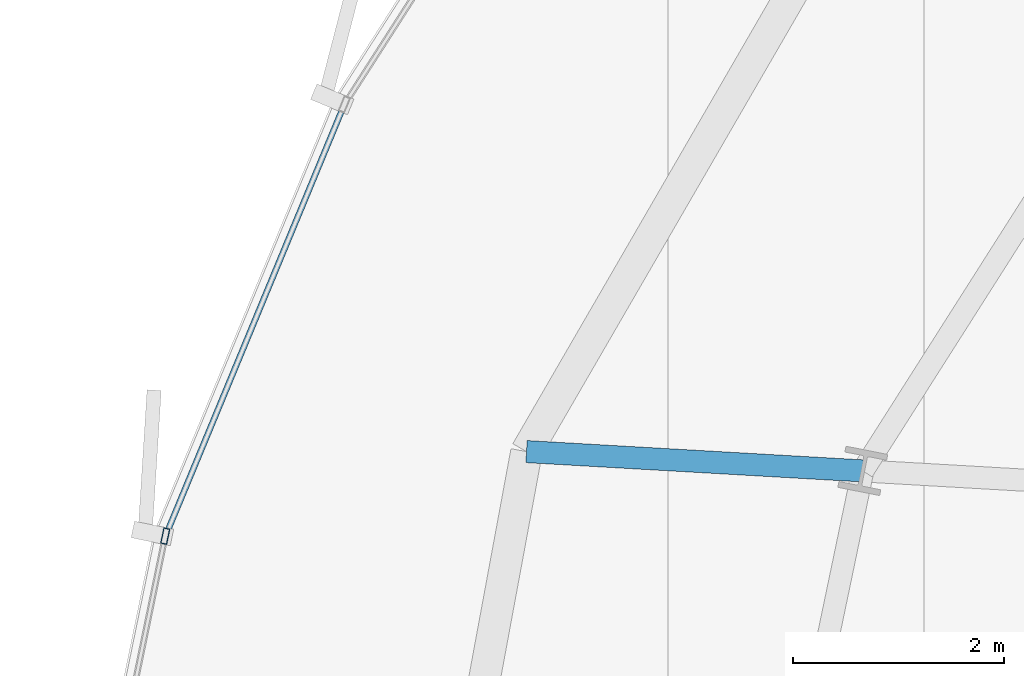
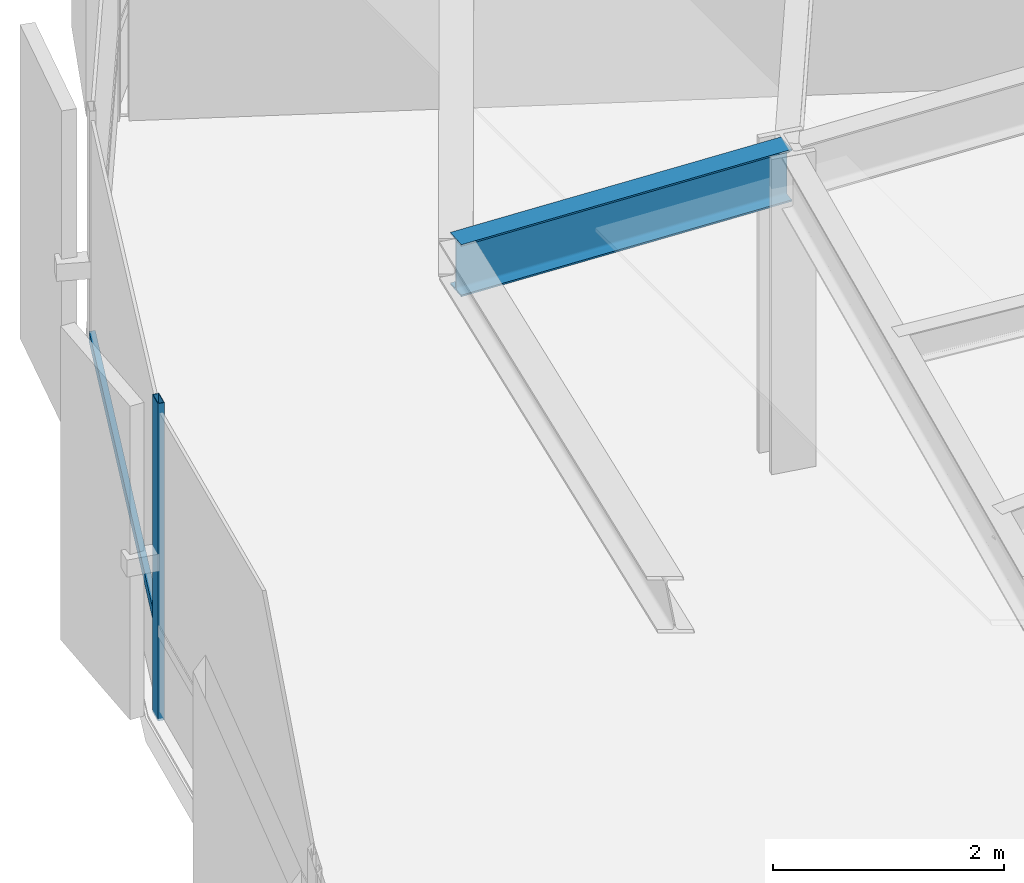
# One storey, part 10 of 35: 2 members, 1 beam, 1 element without a shape of its own.
"""IFC4 building model written with IfcOpenShell, lengths in metres."""

from ifc_helpers import new_model, si_unit, direction, frame, origin, origin_2d, place, context, subcontext, project, spatial, hollow_rectangle, i_section, extrude, source, transform, mapped, material, layer, layer_set, material_profile, profile_set, type_object, element, aggregate, save


model = new_model("IFC4")

# Units and contexts
model_context = context("Model", 3, precision=1e-05, world=origin(), true_north=direction((0.0, 1.0)))
body_context = subcontext(model_context, "Body", "Model", "MODEL_VIEW")
ifc_project = project(units=[si_unit("LENGTHUNIT", "METRE"), si_unit("AREAUNIT", "SQUARE_METRE"), si_unit("VOLUMEUNIT", "CUBIC_METRE"), si_unit("PLANEANGLEUNIT", "RADIAN"), si_unit("MASSUNIT", "GRAM", prefix="KILO"), si_unit("THERMODYNAMICTEMPERATUREUNIT", "KELVIN")], contexts=[model_context])

# Site, building, storey
site_placement = place(None, origin())
site = spatial("IfcSite", under=ifc_project, at=site_placement, CompositionType="ELEMENT")
building_placement = place(site_placement, origin())
building = spatial("IfcBuilding", under=site, at=building_placement, Name="Kethvar Cultural Tower", CompositionType="ELEMENT")
storey_placement = place(building_placement, frame((0.0, 0.0, 107.199951171875)))
storey = spatial("IfcBuildingStorey", under=building, at=storey_placement, Name="L26", CompositionType="ELEMENT", Elevation=107.199951171875)

# Beam
ifc_material_1 = material(Name="Steel S355J2", Category="steel")
ifc_material_profile_1 = material_profile(ifc_material_1, i_section(OverallWidth=0.2099609375, OverallDepth=0.550048828125, WebThickness=0.010986328125, FlangeThickness=0.01708984375, FilletRadius=0.02392578125, at=origin_2d()), Name="Steel S355J2 — IPE550")
ifc_profile_set_1 = profile_set([ifc_material_profile_1], Name="Steel S355J2 — IPE550")
beam_type = type_object("IfcBeamType", Name="BM-IPE550", PredefinedType="BEAM", material=ifc_profile_set_1)
shared_shape_1 = source(origin(), body_context, "Body", "SweptSolid", [
    extrude(i_section(OverallWidth=0.2099609375, OverallDepth=0.550048828125, WebThickness=0.010986328125, FlangeThickness=0.01708984375, FilletRadius=0.02392578125, at=origin_2d()), origin(), (0.0, 0.0, 1.0), 3.2001953125),
])
beam_placement = place(storey_placement, frame((25.988525390625, 31.939697265625, 3.072998046875), z_axis=(-0.998357274949, 0.057295301352, 0.0), x_axis=(-0.057295301352, -0.998357274949, 0.0)))
element("IfcBeam", 1, at=beam_placement, inside=storey, type_object=beam_type, Name="L26 Perimeter Cantilever Beam RC-08", PredefinedType="BEAM", context=body_context, shape_type="MappedRepresentation", body=[
    mapped(shared_shape_1, transform((0.0, 0.0, 0.0), scale=1.0)),
])

# Curtain wall, members
ifc_material_2 = material(Name="Aluminium 6063-T6", Category="aluminium")
ifc_layer = layer(ifc_material_2, 0.179931640625, Name="Aluminium 6063-T6", Category="aluminium")
ifc_layer_set = layer_set([ifc_layer], Name="Aluminium 6063-T6 (180 mm)")
curtain_wall_type = type_object("IfcCurtainWallType", Name="CW-SYS-03-Z2", PredefinedType="NOTDEFINED", material=ifc_layer_set)
curtain_wall_placement = place(storey_placement, origin())
curtain_wall = element("IfcCurtainWall", 2, at=curtain_wall_placement, inside=storey, type_object=curtain_wall_type, Name="L26 Curtain Wall Run 03", PredefinedType="NOTDEFINED")
ifc_material_profile_2 = material_profile(ifc_material_2, hollow_rectangle(XDim=0.06005859375, YDim=0.14990234375, WallThickness=0.0048828125, at=origin_2d()), Name="Aluminium 6063-T6 — RHS150x60x5")
ifc_profile_set_2 = profile_set([ifc_material_profile_2], Name="Aluminium 6063-T6 — RHS150x60x5")
member_type_1 = type_object("IfcMemberType", Name="CW-SYS-03-Z2-MUL", PredefinedType="MULLION", material=ifc_profile_set_2)
shared_shape_2 = source(origin(), body_context, "Body", "SweptSolid", [
    extrude(hollow_rectangle(XDim=0.06005859375, YDim=0.14990234375, WallThickness=0.0048828125, at=origin_2d()), origin(), (0.0, 0.0, 1.0), 3.35009765625),
])
member_1_placement = place(storey_placement, frame((19.361328125, 31.31982421875, 0.0), z_axis=(0.0, 0.0, 1.0), x_axis=(0.9794663126, -0.201607892903, 0.0)))
member_1 = element("IfcMember", 3, at=member_1_placement, type_object=member_type_1, Name="CW-L26-R03 Mullion 4", PredefinedType="MULLION", context=body_context, shape_type="MappedRepresentation", body=[
    mapped(shared_shape_2, transform((0.0, 0.0, 0.0), scale=1.0)),
])
ifc_material_profile_3 = material_profile(ifc_material_2, hollow_rectangle(XDim=0.054931640625, YDim=0.1201171875, WallThickness=0.00390625, at=origin_2d()), Name="Aluminium 6063-T6 — RHS120x55x4")
ifc_profile_set_3 = profile_set([ifc_material_profile_3], Name="Aluminium 6063-T6 — RHS120x55x4")
member_type_2 = type_object("IfcMemberType", Name="CW-SYS-03-Z2-TRN", PredefinedType="USERDEFINED", material=ifc_profile_set_3)
shared_shape_3 = source(origin(), body_context, "Body", "SweptSolid", [
    extrude(hollow_rectangle(XDim=0.054931640625, YDim=0.1201171875, WallThickness=0.00390625, at=origin_2d()), origin(), (0.0, 0.0, 1.0), 4.376708984375),
])
member_2_placement = place(storey_placement, frame((21.046630859375, 35.382568359375, 0.949951171875), z_axis=(-0.382721283455, -0.923863853168, 0.0), x_axis=(0.923863853168, -0.382721283455, 0.0)))
member_2 = element("IfcMember", 4, at=member_2_placement, type_object=member_type_2, Name="CW-L26-R03 Transom 3", ObjectType="TRANSOM", PredefinedType="USERDEFINED", context=body_context, shape_type="MappedRepresentation", body=[
    mapped(shared_shape_3, transform((0.0, 0.0, 0.0), scale=1.0)),
])
aggregate(curtain_wall, [member_1, member_2])

save(model, "model.ifc")
